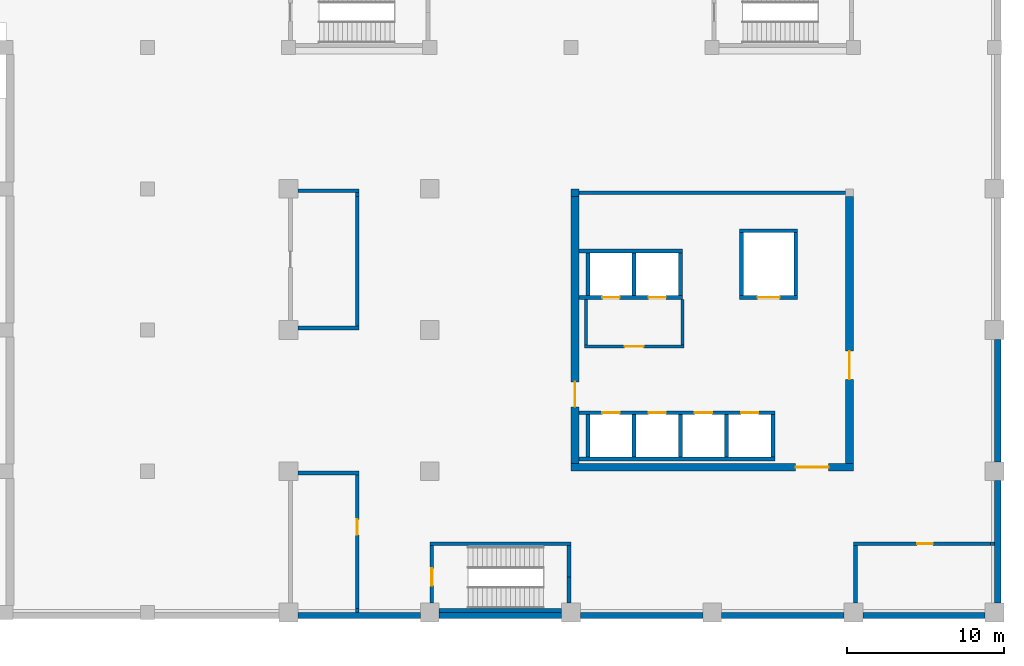
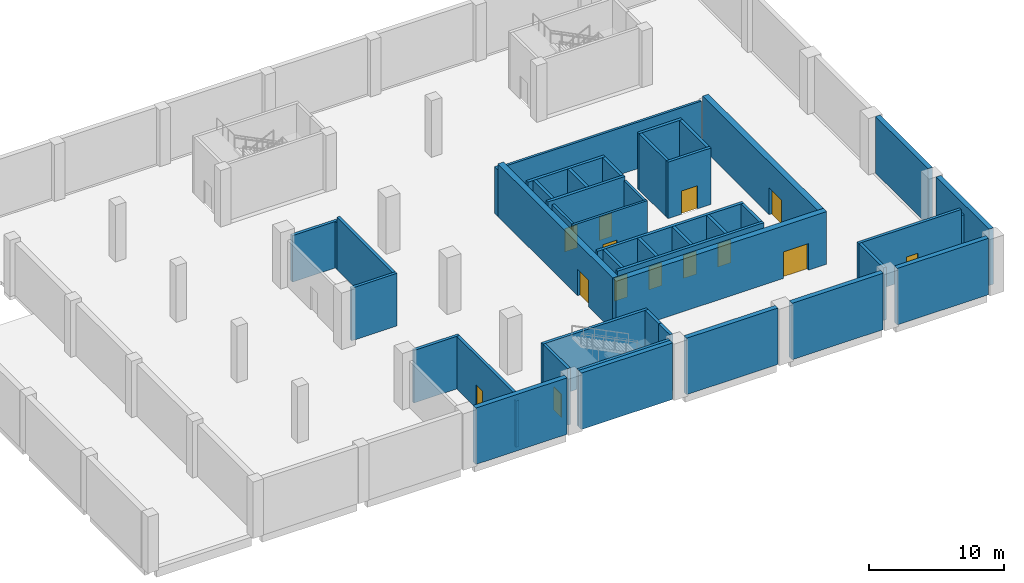
# One storey, part 11 of 16: 46 walls, 14 doors, 14 openings.
"""IFC4 building model written with IfcOpenShell, lengths in metres."""

from ifc_helpers import new_model, si_unit, direction, frame, frame_2d, origin, place, context, subcontext, project, spatial, rectangle, extrude, material, layer, layer_set, type_object, element, fill, save


model = new_model("IFC4")

# Units and contexts
model_context = context("Model", 3, precision=1e-05, world=origin(), true_north=direction((0.0, 1.0)))
body_context = subcontext(model_context, "Body", "Model", "MODEL_VIEW")
ifc_project = project(units=[si_unit("LENGTHUNIT", "METRE"), si_unit("AREAUNIT", "SQUARE_METRE"), si_unit("VOLUMEUNIT", "CUBIC_METRE"), si_unit("PLANEANGLEUNIT", "RADIAN"), si_unit("MASSUNIT", "GRAM", prefix="KILO")], contexts=[model_context])

# Site, building, storey
site_placement = place(None, origin())
site = spatial("IfcSite", under=ifc_project, at=site_placement, CompositionType="ELEMENT")
building_placement = place(site_placement, origin())
building = spatial("IfcBuilding", under=site, at=building_placement, Name="Guidao Yard Department Store", CompositionType="ELEMENT")
storey_placement = place(building_placement, frame((0.0, 0.0, -5.10009765625)))
storey = spatial("IfcBuildingStorey", under=building, at=storey_placement, Name="B1", CompositionType="ELEMENT", Elevation=-5.10009765625)

# Walls
ifc_material_1 = material(Name="Concrete C40", Category="concrete")
ifc_layer_1 = layer(ifc_material_1, 0.39990234375)
ifc_layer_set_1 = layer_set([ifc_layer_1], Name="Retaining wall 400 C40")
wall_type_1 = type_object("IfcWallType", Name="Retaining wall 400 C40", PredefinedType="SOLIDWALL", material=ifc_layer_set_1)
for number, where, z_axis, x_axis, name in (
    (1, (126.60009765625, -0.199951171875, 0.0), (0.0, 0.0, 1.0), (1.0, 0.0, 0.0), "Retaining wall B1-003"),
    (2, (135.60009765625, -0.199951171875, 0.0), (0.0, 0.0, 1.0), (1.0, 0.0, 0.0), "Retaining wall B1-004"),
    (3, (144.60009765625, -0.199951171875, 0.0), (0.0, 0.0, 1.0), (1.0, 0.0, 0.0), "Retaining wall B1-005"),
    (4, (153.60009765625, -0.199951171875, 0.0), (0.0, 0.0, 1.0), (1.0, 0.0, 0.0), "Retaining wall B1-006"),
    (5, (162.60009765625, -0.199951171875, 0.0), (0.0, 0.0, 1.0), (1.0, 0.0, 0.0), "Retaining wall B1-007"),
    (6, (171.199951171875, 0.60009765625, 0.0), (0.0, 0.0, 1.0), (0.0, 1.0, 0.0), "Retaining wall B1-009"),
    (7, (171.199951171875, 9.60009765625, 0.0), (0.0, 0.0, 1.0), (0.0, 1.0, 0.0), "Retaining wall B1-011"),
):
    element("IfcWall", number, at=place(storey_placement, frame(where, z_axis=z_axis, x_axis=x_axis)), inside=storey, type_object=wall_type_1, Name=name, PredefinedType="SOLIDWALL", context=body_context, shape_type="SweptSolid", body=[
        extrude(rectangle(XDim=7.7998046875, YDim=0.39990234375, at=frame_2d((3.89990234375, 0.0))), origin(), (0.0, 0.0, 1.0), 5.10009765625),
    ])

# Wall, opening, door
ifc_material_2 = material(Name="Autoclaved aerated concrete block A3.5 B06", Category="concrete")
ifc_layer_2 = layer(ifc_material_2, 0.199951171875)
ifc_layer_set_2 = layer_set([ifc_layer_2], Name="Shaft Wall 200 Autoclaved Block EI 120")
wall_type_2 = type_object("IfcWallType", Name="Shaft Wall 200 Autoclaved Block EI 120", PredefinedType="PARTITIONING", material=ifc_layer_set_2)
wall_1_placement = place(storey_placement, frame((144.85009765625, 16.949951171875, 0.0), z_axis=(0.0, 0.0, 1.0), x_axis=(1.0, 0.0, 0.0)))
wall_1 = element("IfcWall", 8, at=wall_1_placement, inside=storey, type_object=wall_type_2, Name="pt.wall.B1.0004", PredefinedType="PARTITIONING", context=body_context, shape_type="SweptSolid", body=[
    extrude(rectangle(XDim=6.349853515625, YDim=0.199951171875, at=frame_2d((3.1748046875, 0.0))), origin(), (0.0, 0.0, 1.0), 4.75),
])
opening_1_placement = place(wall_1_placement, frame((3.77490234375, 0.0, 0.0), z_axis=(0.0, 0.0, 1.0), x_axis=(-1.0, 0.0, 0.0)))
opening_1 = element("IfcOpeningElement", 9, at=opening_1_placement, cuts=wall_1, Name="Opening B1-400", PredefinedType="OPENING", context=body_context, shape_type="SweptSolid", body=[
    extrude(rectangle(XDim=1.199951171875, YDim=2.10009765625, at=frame_2d((0.60009765625, 1.050048828125))), frame((0.0, 0.10986328125, 0.0), z_axis=(0.0, -1.0, 0.0), x_axis=(1.0, 0.0, 0.0)), (0.0, 0.0, 1.0), 0.219970703125),
])
ifc_material_3 = material(Name="Timber door leaf with Steel Q235 frame", Category="steel")
door_type_1 = type_object("IfcDoorType", Name="Door 1200 x 2100 FD60 Single Leaf", OperationType="SINGLE_SWING_LEFT", PredefinedType="DOOR", material=ifc_material_3)
door_1_placement = place(opening_1_placement, origin())
door_1 = element("IfcDoor", 10, at=door_1_placement, inside=storey, type_object=door_type_1, Name="Door B1-400", OperationType="SINGLE_SWING_LEFT", OverallHeight=2.10009765625, OverallWidth=1.199951171875, PredefinedType="DOOR", context=body_context, shape_type="SweptSolid", body=[
    extrude(rectangle(XDim=1.199951171875, YDim=2.10009765625, at=frame_2d((0.60009765625, 1.050048828125))), frame((0.0, 0.02490234375, 0.0), z_axis=(0.0, -1.0, 0.0), x_axis=(1.0, 0.0, 0.0)), (0.0, 0.0, 1.0), 0.050048828125),
])
fill(opening_1, door_1)

# Walls
wall_2_placement = place(storey_placement, frame((144.5, 26.75, 0.0), z_axis=(0.0, 0.0, 1.0), x_axis=(1.0, 0.0, 0.0)))
element("IfcWall", 11, at=wall_2_placement, inside=storey, type_object=wall_type_2, Name="pt.wall.B1.0006", PredefinedType="PARTITIONING", context=body_context, shape_type="SweptSolid", body=[
    extrude(rectangle(XDim=17.0, YDim=0.199951171875, at=frame_2d((8.5, 0.0))), origin(), (0.0, 0.0, 1.0), 4.2001953125),
])
for number, where, z_axis, x_axis, name in (
    (12, (144.949951171875, 17.050048828125, 0.0), (0.0, 0.0, 1.0), (0.0, 1.0, 0.0), "pt.wall.B1.0073"),
    (13, (151.10009765625, 17.050048828125, 0.0), (0.0, 0.0, 1.0), (0.0, 1.0, 0.0), "pt.wall.B1.0074"),
):
    element("IfcWall", number, at=place(storey_placement, frame(where, z_axis=z_axis, x_axis=x_axis)), inside=storey, type_object=wall_type_2, Name=name, PredefinedType="PARTITIONING", context=body_context, shape_type="SweptSolid", body=[
        extrude(rectangle(XDim=2.89990234375, YDim=0.199951171875, at=frame_2d((1.449951171875, 0.0))), origin(), (0.0, 0.0, 1.0), 4.75),
    ])

# Wall, opening, door
ifc_material_4 = material(Name="Concrete C60", Category="concrete")
ifc_layer_3 = layer(ifc_material_4, 0.5)
ifc_layer_set_3 = layer_set([ifc_layer_3], Name="Shear Wall 500 Concrete C60")
wall_type_3 = type_object("IfcWallType", Name="Shear Wall 500 Concrete C60", PredefinedType="SHEAR", material=ifc_layer_set_3)
wall_3_placement = place(storey_placement, frame((144.0, 9.25, 0.0), z_axis=(0.0, 0.0, 1.0), x_axis=(1.0, 0.0, 0.0)))
wall_3 = element("IfcWall", 14, at=wall_3_placement, inside=storey, type_object=wall_type_3, Name="pt.wall.B1.0003", PredefinedType="SHEAR", context=body_context, shape_type="SweptSolid", body=[
    extrude(rectangle(XDim=18.0, YDim=0.5, at=frame_2d((9.0, 0.0))), origin(), (0.0, 0.0, 1.0), 4.75),
])
opening_2_placement = place(wall_3_placement, frame((16.425048828125, 0.0, 0.0), z_axis=(0.0, 0.0, 1.0), x_axis=(-1.0, 0.0, 0.0)))
opening_2 = element("IfcOpeningElement", 15, at=opening_2_placement, cuts=wall_3, Name="Opening B1-403", PredefinedType="OPENING", context=body_context, shape_type="SweptSolid", body=[
    extrude(rectangle(XDim=2.10009765625, YDim=2.39990234375, at=frame_2d((1.050048828125, 1.199951171875))), frame((0.0, 0.260009765625, 0.0), z_axis=(0.0, -1.0, 0.0), x_axis=(1.0, 0.0, 0.0)), (0.0, 0.0, 1.0), 0.52001953125),
])
ifc_material_5 = material(Name="Timber door leaf with Steel Q235 frame", Category="steel")
door_type_2 = type_object("IfcDoorType", Name="Door 2100 x 2400 FD60 Double Leaf", OperationType="DOUBLE_DOOR_SINGLE_SWING", PredefinedType="DOOR", material=ifc_material_5)
door_2_placement = place(opening_2_placement, origin())
door_2 = element("IfcDoor", 16, at=door_2_placement, inside=storey, type_object=door_type_2, Name="Door B1-403", OperationType="DOUBLE_DOOR_SINGLE_SWING", OverallHeight=2.39990234375, OverallWidth=2.10009765625, PredefinedType="DOOR", context=body_context, shape_type="SweptSolid", body=[
    extrude(rectangle(XDim=2.10009765625, YDim=2.39990234375, at=frame_2d((1.050048828125, 1.199951171875))), frame((0.0, 0.02490234375, 0.0), z_axis=(0.0, -1.0, 0.0), x_axis=(1.0, 0.0, 0.0)), (0.0, 0.0, 1.0), 0.050048828125),
])
fill(opening_2, door_2)

wall_4_placement = place(storey_placement, frame((144.25, 9.5, 0.0), z_axis=(0.0, 0.0, 1.0), x_axis=(0.0, 1.0, 0.0)))
wall_4 = element("IfcWall", 17, at=wall_4_placement, inside=storey, type_object=wall_type_3, Name="pt.wall.B1.0072", PredefinedType="SHEAR", context=body_context, shape_type="SweptSolid", body=[
    extrude(rectangle(XDim=17.0, YDim=0.5, at=frame_2d((8.5, 0.0))), origin(), (0.0, 0.0, 1.0), 4.75),
])
opening_3_placement = place(wall_4_placement, frame((3.60009765625, 0.0, 0.0)))
opening_3 = element("IfcOpeningElement", 18, at=opening_3_placement, cuts=wall_4, Name="Opening B1-401", PredefinedType="OPENING", context=body_context, shape_type="SweptSolid", body=[
    extrude(rectangle(XDim=1.60009765625, YDim=2.39990234375, at=frame_2d((0.800048828125, 1.199951171875))), frame((0.0, 0.260009765625, 0.0), z_axis=(0.0, -1.0, 0.0), x_axis=(1.0, 0.0, 0.0)), (0.0, 0.0, 1.0), 0.52001953125),
])
ifc_material_6 = material(Name="Timber door leaf with Steel Q235 frame", Category="steel")
door_type_3 = type_object("IfcDoorType", Name="Door 1600 x 2400 FD60 Double Leaf", OperationType="DOUBLE_DOOR_SINGLE_SWING", PredefinedType="DOOR", material=ifc_material_6)
door_3_placement = place(opening_3_placement, origin())
door_3 = element("IfcDoor", 19, at=door_3_placement, inside=storey, type_object=door_type_3, Name="Door B1-401", OperationType="DOUBLE_DOOR_SINGLE_SWING", OverallHeight=2.39990234375, OverallWidth=1.60009765625, PredefinedType="DOOR", context=body_context, shape_type="SweptSolid", body=[
    extrude(rectangle(XDim=1.60009765625, YDim=2.39990234375, at=frame_2d((0.800048828125, 1.199951171875))), frame((0.0, 0.02490234375, 0.0), z_axis=(0.0, -1.0, 0.0), x_axis=(1.0, 0.0, 0.0)), (0.0, 0.0, 1.0), 0.050048828125),
])
fill(opening_3, door_3)

# Wall
wall_5_placement = place(storey_placement, frame((144.25, 26.5, 0.0), z_axis=(0.0, 0.0, 1.0), x_axis=(0.0, 1.0, 0.0)))
element("IfcWall", 20, at=wall_5_placement, inside=storey, type_object=wall_type_3, Name="pt.wall.B1.0072a", PredefinedType="SHEAR", context=body_context, shape_type="SweptSolid", body=[
    extrude(rectangle(XDim=0.5, YDim=0.5, at=frame_2d((0.25, 0.0))), origin(), (0.0, 0.0, 1.0), 4.2001953125),
])

# Wall, opening, door
wall_6_placement = place(storey_placement, frame((161.75, 9.5, 0.0), z_axis=(0.0, 0.0, 1.0), x_axis=(0.0, 1.0, 0.0)))
wall_6 = element("IfcWall", 21, at=wall_6_placement, inside=storey, type_object=wall_type_3, Name="pt.wall.B1.0075", PredefinedType="SHEAR", context=body_context, shape_type="SweptSolid", body=[
    extrude(rectangle(XDim=17.0, YDim=0.5, at=frame_2d((8.5, 0.0))), origin(), (0.0, 0.0, 1.0), 4.75),
])
opening_4_placement = place(wall_6_placement, frame((5.35009765625, 0.0, 0.0)))
opening_4 = element("IfcOpeningElement", 22, at=opening_4_placement, cuts=wall_6, Name="Opening B1-402", PredefinedType="OPENING", context=body_context, shape_type="SweptSolid", body=[
    extrude(rectangle(XDim=1.800048828125, YDim=2.39990234375, at=frame_2d((0.89990234375, 1.199951171875))), frame((0.0, 0.260009765625, 0.0), z_axis=(0.0, -1.0, 0.0), x_axis=(1.0, 0.0, 0.0)), (0.0, 0.0, 1.0), 0.52001953125),
])
ifc_material_7 = material(Name="Timber door leaf with Steel Q235 frame", Category="steel")
door_type_4 = type_object("IfcDoorType", Name="Door 1800 x 2400 FD60 Double Leaf", OperationType="DOUBLE_DOOR_SINGLE_SWING", PredefinedType="DOOR", material=ifc_material_7)
door_4_placement = place(opening_4_placement, origin())
door_4 = element("IfcDoor", 23, at=door_4_placement, inside=storey, type_object=door_type_4, Name="Door B1-402", OperationType="DOUBLE_DOOR_SINGLE_SWING", OverallHeight=2.39990234375, OverallWidth=1.800048828125, PredefinedType="DOOR", context=body_context, shape_type="SweptSolid", body=[
    extrude(rectangle(XDim=1.800048828125, YDim=2.39990234375, at=frame_2d((0.89990234375, 1.199951171875))), frame((0.0, 0.02490234375, 0.0), z_axis=(0.0, -1.0, 0.0), x_axis=(1.0, 0.0, 0.0)), (0.0, 0.0, 1.0), 0.050048828125),
])
fill(opening_4, door_4)

ifc_material_8 = material(Name="Concrete C40", Category="concrete")
ifc_layer_4 = layer(ifc_material_8, 0.25)
ifc_layer_set_4 = layer_set([ifc_layer_4], Name="Support Wall 250 Concrete C40")
wall_type_4 = type_object("IfcWallType", Name="Support Wall 250 Concrete C40", PredefinedType="SOLIDWALL", material=ifc_layer_set_4)
wall_7_placement = place(storey_placement, frame((162.0, 4.375, 0.0), z_axis=(0.0, 0.0, 1.0), x_axis=(1.0, 0.0, 0.0)))
wall_7 = element("IfcWall", 24, at=wall_7_placement, inside=storey, type_object=wall_type_4, Name="pt.wall.B1.0001", PredefinedType="SOLIDWALL", context=body_context, shape_type="SweptSolid", body=[
    extrude(rectangle(XDim=8.75, YDim=0.25, at=frame_2d((4.375, 0.0))), origin(), (0.0, 0.0, 1.0), 4.75),
])
opening_5_placement = place(wall_7_placement, frame((5.0625, 0.0, 0.0), z_axis=(0.0, 0.0, 1.0), x_axis=(-1.0, 0.0, 0.0)))
opening_5 = element("IfcOpeningElement", 25, at=opening_5_placement, cuts=wall_7, Name="Opening B1-417", PredefinedType="OPENING", context=body_context, shape_type="SweptSolid", body=[
    extrude(rectangle(XDim=1.0, YDim=2.10009765625, at=frame_2d((0.5, 1.050048828125))), frame((0.0, 0.135009765625, 0.0), z_axis=(0.0, -1.0, 0.0), x_axis=(1.0, 0.0, 0.0)), (0.0, 0.0, 1.0), 0.27001953125),
])
ifc_material_9 = material(Name="Timber door leaf with Steel Q235 frame", Category="steel")
door_type_5 = type_object("IfcDoorType", Name="Door 1000 x 2100 FD60 Single Leaf", OperationType="SINGLE_SWING_LEFT", PredefinedType="DOOR", material=ifc_material_9)
door_5_placement = place(opening_5_placement, origin())
door_5 = element("IfcDoor", 26, at=door_5_placement, inside=storey, type_object=door_type_5, Name="Door B1-417", OperationType="SINGLE_SWING_LEFT", OverallHeight=2.10009765625, OverallWidth=1.0, PredefinedType="DOOR", context=body_context, shape_type="SweptSolid", body=[
    extrude(rectangle(XDim=1.0, YDim=2.10009765625, at=frame_2d((0.5, 1.050048828125))), frame((0.0, 0.02490234375, 0.0), z_axis=(0.0, -1.0, 0.0), x_axis=(1.0, 0.0, 0.0)), (0.0, 0.0, 1.0), 0.050048828125),
])
fill(opening_5, door_5)

# Walls
wall_8_placement = place(storey_placement, frame((170.75, 4.375, 0.0), z_axis=(0.0, 0.0, 1.0), x_axis=(1.0, 0.0, 0.0)))
element("IfcWall", 27, at=wall_8_placement, inside=storey, type_object=wall_type_4, Name="pt.wall.B1.0001a", PredefinedType="SOLIDWALL", context=body_context, shape_type="SweptSolid", body=[
    extrude(rectangle(XDim=0.25, YDim=0.25, at=frame_2d((0.125, 0.0))), origin(), (0.0, 0.0, 1.0), 4.2001953125),
])
for number, where, z_axis, x_axis, name in (
    (28, (126.60009765625, 8.875, 0.0), (0.0, 0.0, 1.0), (1.0, 0.0, 0.0), "pt.wall.B1.0002"),
    (29, (126.60009765625, 18.125, 0.0), (0.0, 0.0, 1.0), (1.0, 0.0, 0.0), "pt.wall.B1.0005"),
):
    element("IfcWall", number, at=place(storey_placement, frame(where, z_axis=z_axis, x_axis=x_axis)), inside=storey, type_object=wall_type_4, Name=name, PredefinedType="SOLIDWALL", context=body_context, shape_type="SweptSolid", body=[
        extrude(rectangle(XDim=3.89990234375, YDim=0.25, at=frame_2d((1.949951171875, 0.0))), origin(), (0.0, 0.0, 1.0), 4.75),
    ])
wall_9_placement = place(storey_placement, frame((126.60009765625, 26.875, 0.0), z_axis=(0.0, 0.0, 1.0), x_axis=(1.0, 0.0, 0.0)))
element("IfcWall", 30, at=wall_9_placement, inside=storey, type_object=wall_type_4, Name="pt.wall.B1.0007", PredefinedType="SOLIDWALL", context=body_context, shape_type="SweptSolid", body=[
    extrude(rectangle(XDim=3.89990234375, YDim=0.25, at=frame_2d((1.949951171875, 0.0))), origin(), (0.0, 0.0, 1.0), 4.2001953125),
])
wall_10_placement = place(storey_placement, frame((130.375, 0.0, 0.0), z_axis=(0.0, 0.0, 1.0), x_axis=(0.0, 1.0, 0.0)))
element("IfcWall", 31, at=wall_10_placement, inside=storey, type_object=wall_type_4, Name="pt.wall.B1.0070", PredefinedType="SOLIDWALL", context=body_context, shape_type="SweptSolid", body=[
    extrude(rectangle(XDim=0.25, YDim=0.25, at=frame_2d((0.125, 0.0))), origin(), (0.0, 0.0, 1.0), 4.2001953125),
])

# Wall, opening, door
wall_11_placement = place(storey_placement, frame((130.375, 0.25, 0.0), z_axis=(0.0, 0.0, 1.0), x_axis=(0.0, 1.0, 0.0)))
wall_11 = element("IfcWall", 32, at=wall_11_placement, inside=storey, type_object=wall_type_4, Name="pt.wall.B1.0070a", PredefinedType="SOLIDWALL", context=body_context, shape_type="SweptSolid", body=[
    extrude(rectangle(XDim=8.5, YDim=0.25, at=frame_2d((4.25, 0.0))), origin(), (0.0, 0.0, 1.0), 4.75),
])
opening_6_placement = place(wall_11_placement, frame((4.6875, 0.0, 0.0)))
opening_6 = element("IfcOpeningElement", 33, at=opening_6_placement, cuts=wall_11, Name="Opening B1-416", PredefinedType="OPENING", context=body_context, shape_type="SweptSolid", body=[
    extrude(rectangle(XDim=1.0, YDim=2.10009765625, at=frame_2d((0.5, 1.050048828125))), frame((0.0, 0.135009765625, 0.0), z_axis=(0.0, -1.0, 0.0), x_axis=(1.0, 0.0, 0.0)), (0.0, 0.0, 1.0), 0.27001953125),
])
door_6_placement = place(opening_6_placement, origin())
door_6 = element("IfcDoor", 34, at=door_6_placement, inside=storey, type_object=door_type_5, Name="Door B1-416", OperationType="SINGLE_SWING_RIGHT", OverallHeight=2.10009765625, OverallWidth=1.0, PredefinedType="DOOR", context=body_context, shape_type="SweptSolid", body=[
    extrude(rectangle(XDim=1.0, YDim=2.10009765625, at=frame_2d((0.5, 1.050048828125))), frame((0.0, 0.02490234375, 0.0), z_axis=(0.0, -1.0, 0.0), x_axis=(1.0, 0.0, 0.0)), (0.0, 0.0, 1.0), 0.050048828125),
])
fill(opening_6, door_6)

# Walls
wall_12_placement = place(storey_placement, frame((130.375, 18.25, 0.0), z_axis=(0.0, 0.0, 1.0), x_axis=(0.0, 1.0, 0.0)))
element("IfcWall", 35, at=wall_12_placement, inside=storey, type_object=wall_type_4, Name="pt.wall.B1.0071", PredefinedType="SOLIDWALL", context=body_context, shape_type="SweptSolid", body=[
    extrude(rectangle(XDim=8.25, YDim=0.25, at=frame_2d((4.125, 0.0))), origin(), (0.0, 0.0, 1.0), 4.75),
])
wall_13_placement = place(storey_placement, frame((130.375, 26.5, 0.0), z_axis=(0.0, 0.0, 1.0), x_axis=(0.0, 1.0, 0.0)))
element("IfcWall", 36, at=wall_13_placement, inside=storey, type_object=wall_type_4, Name="pt.wall.B1.0071a", PredefinedType="SOLIDWALL", context=body_context, shape_type="SweptSolid", body=[
    extrude(rectangle(XDim=0.25, YDim=0.25, at=frame_2d((0.125, 0.0))), origin(), (0.0, 0.0, 1.0), 4.2001953125),
])
wall_14_placement = place(storey_placement, frame((162.125, 0.60009765625, 0.0), z_axis=(0.0, 0.0, 1.0), x_axis=(0.0, 1.0, 0.0)))
element("IfcWall", 37, at=wall_14_placement, inside=storey, type_object=wall_type_4, Name="pt.wall.B1.0076", PredefinedType="SOLIDWALL", context=body_context, shape_type="SweptSolid", body=[
    extrude(rectangle(XDim=3.64990234375, YDim=0.25, at=frame_2d((1.824951171875, 0.0))), origin(), (0.0, 0.0, 1.0), 4.75),
])
ifc_material_10 = material(Name="Concrete C40", Category="concrete")
ifc_layer_5 = layer(ifc_material_10, 0.25)
ifc_layer_set_5 = layer_set([ifc_layer_5], Name="Wall RC 250 C40 stair and shaft")
wall_type_5 = type_object("IfcWallType", Name="Wall RC 250 C40 stair and shaft", PredefinedType="SHEAR", material=ifc_layer_set_5)
wall_15_placement = place(storey_placement, frame((135.60009765625, 0.125, 0.0), z_axis=(0.0, 0.0, 1.0), x_axis=(1.0, 0.0, 0.0)))
element("IfcWall", 38, at=wall_15_placement, inside=storey, type_object=wall_type_5, Name="Stair wall BSO1", PredefinedType="SHEAR", context=body_context, shape_type="SweptSolid", body=[
    extrude(rectangle(XDim=7.7998046875, YDim=0.25, at=frame_2d((3.89990234375, 0.0))), origin(), (0.0, 0.0, 1.0), 5.10009765625),
])
wall_16_placement = place(storey_placement, frame((135.0, 4.375, 0.0), z_axis=(0.0, 0.0, 1.0), x_axis=(1.0, 0.0, 0.0)))
element("IfcWall", 39, at=wall_16_placement, inside=storey, type_object=wall_type_5, Name="Stair wall BSO1", PredefinedType="SHEAR", context=body_context, shape_type="SweptSolid", body=[
    extrude(rectangle(XDim=9.0, YDim=0.25, at=frame_2d((4.5, 0.0))), origin(), (0.0, 0.0, 1.0), 5.10009765625),
])

# Wall, opening, door
wall_17_placement = place(storey_placement, frame((135.125, 0.60009765625, 0.0), z_axis=(0.0, 0.0, 1.0), x_axis=(0.0, 1.0, 0.0)))
wall_17 = element("IfcWall", 40, at=wall_17_placement, inside=storey, type_object=wall_type_5, Name="Stair wall BSO1", PredefinedType="SHEAR", context=body_context, shape_type="SweptSolid", body=[
    extrude(rectangle(XDim=3.64990234375, YDim=0.25, at=frame_2d((1.824951171875, 0.0))), origin(), (0.0, 0.0, 1.0), 5.10009765625),
])
opening_7_placement = place(wall_17_placement, frame((2.2001953125, 0.0, 0.0), z_axis=(0.0, 0.0, 1.0), x_axis=(-1.0, 0.0, 0.0)))
opening_7 = element("IfcOpeningElement", 41, at=opening_7_placement, cuts=wall_17, Name="Opening B1-805", PredefinedType="OPENING", context=body_context, shape_type="SweptSolid", body=[
    extrude(rectangle(XDim=1.10009765625, YDim=2.10009765625, at=frame_2d((0.550048828125, 1.050048828125))), frame((0.0, 0.135009765625, 0.0), z_axis=(0.0, -1.0, 0.0), x_axis=(1.0, 0.0, 0.0)), (0.0, 0.0, 1.0), 0.27001953125),
])
ifc_material_11 = material(Name="Steel Q235", Category="steel")
door_type_6 = type_object("IfcDoorType", Name="Door fire-resisting 1100 x 2100 FD60", OperationType="SINGLE_SWING_LEFT", PredefinedType="DOOR", material=ifc_material_11)
door_7_placement = place(opening_7_placement, origin())
door_7 = element("IfcDoor", 42, at=door_7_placement, inside=storey, type_object=door_type_6, Name="Basement stair O1 door B1", OperationType="SINGLE_SWING_RIGHT", OverallHeight=2.10009765625, OverallWidth=1.10009765625, PredefinedType="DOOR", context=body_context, shape_type="SweptSolid", body=[
    extrude(rectangle(XDim=1.10009765625, YDim=2.10009765625, at=frame_2d((0.550048828125, 1.050048828125))), frame((0.0, 0.02490234375, 0.0), z_axis=(0.0, -1.0, 0.0), x_axis=(1.0, 0.0, 0.0)), (0.0, 0.0, 1.0), 0.050048828125),
])
fill(opening_7, door_7)

# Walls
wall_18_placement = place(storey_placement, frame((143.875, 0.60009765625, 0.0), z_axis=(0.0, 0.0, 1.0), x_axis=(0.0, 1.0, 0.0)))
element("IfcWall", 43, at=wall_18_placement, inside=storey, type_object=wall_type_5, Name="Stair wall BSO1", PredefinedType="SHEAR", context=body_context, shape_type="SweptSolid", body=[
    extrude(rectangle(XDim=1.64990234375, YDim=0.25, at=frame_2d((0.824951171875, 0.0))), origin(), (0.0, 0.0, 1.0), 5.10009765625),
])
wall_19_placement = place(storey_placement, frame((143.875, 2.25, 0.0), z_axis=(0.0, 0.0, 1.0), x_axis=(0.0, 1.0, 0.0)))
element("IfcWall", 44, at=wall_19_placement, inside=storey, type_object=wall_type_5, Name="Stair wall BSO1", PredefinedType="SHEAR", context=body_context, shape_type="SweptSolid", body=[
    extrude(rectangle(XDim=2.0, YDim=0.25, at=frame_2d((1.0, 0.0))), origin(), (0.0, 0.0, 1.0), 5.10009765625),
])

# Wall, openings, doors
wall_20_placement = place(storey_placement, frame((144.5, 12.72509765625, 0.0), z_axis=(0.0, 0.0, 1.0), x_axis=(1.0, 0.0, 0.0)))
wall_20 = element("IfcWall", 45, at=wall_20_placement, inside=storey, type_object=wall_type_5, Name="Lift shaft wall OL1 to OL4", PredefinedType="SHEAR", context=body_context, shape_type="SweptSolid", body=[
    extrude(rectangle(XDim=12.5, YDim=0.25, at=frame_2d((6.25, 0.0))), origin(), (0.0, 0.0, 1.0), 5.10009765625),
])
opening_8_placement = place(wall_20_placement, frame((1.5, 0.0, 0.0)))
opening_8 = element("IfcOpeningElement", 46, at=opening_8_placement, cuts=wall_20, Name="Opening LD-OL1-B1", PredefinedType="OPENING", context=body_context, shape_type="SweptSolid", body=[
    extrude(rectangle(XDim=1.10009765625, YDim=2.10009765625, at=frame_2d((0.550048828125, 1.050048828125))), frame((0.0, 0.135009765625, 0.0), z_axis=(0.0, -1.0, 0.0), x_axis=(1.0, 0.0, 0.0)), (0.0, 0.0, 1.0), 0.27001953125),
])
opening_9_placement = place(wall_20_placement, frame((4.449951171875, 0.0, 0.0)))
opening_9 = element("IfcOpeningElement", 47, at=opening_9_placement, cuts=wall_20, Name="Opening LD-OL2-B1", PredefinedType="OPENING", context=body_context, shape_type="SweptSolid", body=[
    extrude(rectangle(XDim=1.10009765625, YDim=2.10009765625, at=frame_2d((0.550048828125, 1.050048828125))), frame((0.0, 0.135009765625, 0.0), z_axis=(0.0, -1.0, 0.0), x_axis=(1.0, 0.0, 0.0)), (0.0, 0.0, 1.0), 0.27001953125),
])
opening_10_placement = place(wall_20_placement, frame((7.39990234375, 0.0, 0.0)))
opening_10 = element("IfcOpeningElement", 48, at=opening_10_placement, cuts=wall_20, Name="Opening LD-OL3-B1", PredefinedType="OPENING", context=body_context, shape_type="SweptSolid", body=[
    extrude(rectangle(XDim=1.10009765625, YDim=2.10009765625, at=frame_2d((0.550048828125, 1.050048828125))), frame((0.0, 0.135009765625, 0.0), z_axis=(0.0, -1.0, 0.0), x_axis=(1.0, 0.0, 0.0)), (0.0, 0.0, 1.0), 0.27001953125),
])
opening_11_placement = place(wall_20_placement, frame((10.35009765625, 0.0, 0.0)))
opening_11 = element("IfcOpeningElement", 49, at=opening_11_placement, cuts=wall_20, Name="Opening LD-OL4-B1", PredefinedType="OPENING", context=body_context, shape_type="SweptSolid", body=[
    extrude(rectangle(XDim=1.10009765625, YDim=2.10009765625, at=frame_2d((0.550048828125, 1.050048828125))), frame((0.0, 0.135009765625, 0.0), z_axis=(0.0, -1.0, 0.0), x_axis=(1.0, 0.0, 0.0)), (0.0, 0.0, 1.0), 0.27001953125),
])
ifc_material_12 = material(Name="Stainless steel 06Cr19Ni10", Category="steel")
door_type_7 = type_object("IfcDoorType", Name="Lift landing door fire-resisting sliding 1100 x 2100", OperationType="DOUBLE_DOOR_SLIDING", PredefinedType="DOOR", material=ifc_material_12)
door_8_placement = place(opening_8_placement, origin())
door_8 = element("IfcDoor", 50, at=door_8_placement, inside=storey, type_object=door_type_7, Name="Lift landing door OL1 B1", OperationType="DOUBLE_DOOR_SLIDING", OverallHeight=2.10009765625, OverallWidth=1.10009765625, PredefinedType="DOOR", context=body_context, shape_type="SweptSolid", body=[
    extrude(rectangle(XDim=1.10009765625, YDim=2.10009765625, at=frame_2d((0.550048828125, 1.050048828125))), frame((0.0, 0.02490234375, 0.0), z_axis=(0.0, -1.0, 0.0), x_axis=(1.0, 0.0, 0.0)), (0.0, 0.0, 1.0), 0.050048828125),
])
fill(opening_8, door_8)
door_9_placement = place(opening_9_placement, origin())
door_9 = element("IfcDoor", 51, at=door_9_placement, inside=storey, type_object=door_type_7, Name="Lift landing door OL2 B1", OperationType="DOUBLE_DOOR_SLIDING", OverallHeight=2.10009765625, OverallWidth=1.10009765625, PredefinedType="DOOR", context=body_context, shape_type="SweptSolid", body=[
    extrude(rectangle(XDim=1.10009765625, YDim=2.10009765625, at=frame_2d((0.550048828125, 1.050048828125))), frame((0.0, 0.02490234375, 0.0), z_axis=(0.0, -1.0, 0.0), x_axis=(1.0, 0.0, 0.0)), (0.0, 0.0, 1.0), 0.050048828125),
])
fill(opening_9, door_9)
door_10_placement = place(opening_10_placement, origin())
door_10 = element("IfcDoor", 52, at=door_10_placement, inside=storey, type_object=door_type_7, Name="Lift landing door OL3 B1", OperationType="DOUBLE_DOOR_SLIDING", OverallHeight=2.10009765625, OverallWidth=1.10009765625, PredefinedType="DOOR", context=body_context, shape_type="SweptSolid", body=[
    extrude(rectangle(XDim=1.10009765625, YDim=2.10009765625, at=frame_2d((0.550048828125, 1.050048828125))), frame((0.0, 0.02490234375, 0.0), z_axis=(0.0, -1.0, 0.0), x_axis=(1.0, 0.0, 0.0)), (0.0, 0.0, 1.0), 0.050048828125),
])
fill(opening_10, door_10)
door_11_placement = place(opening_11_placement, origin())
door_11 = element("IfcDoor", 53, at=door_11_placement, inside=storey, type_object=door_type_7, Name="Lift landing door OL4 B1", OperationType="DOUBLE_DOOR_SLIDING", OverallHeight=2.10009765625, OverallWidth=1.10009765625, PredefinedType="DOOR", context=body_context, shape_type="SweptSolid", body=[
    extrude(rectangle(XDim=1.10009765625, YDim=2.10009765625, at=frame_2d((0.550048828125, 1.050048828125))), frame((0.0, 0.02490234375, 0.0), z_axis=(0.0, -1.0, 0.0), x_axis=(1.0, 0.0, 0.0)), (0.0, 0.0, 1.0), 0.050048828125),
])
fill(opening_11, door_11)

# Walls
wall_21_placement = place(storey_placement, frame((144.5, 9.77490234375, 0.0), z_axis=(0.0, 0.0, 1.0), x_axis=(1.0, 0.0, 0.0)))
element("IfcWall", 54, at=wall_21_placement, inside=storey, type_object=wall_type_5, Name="Lift shaft wall OL1 to OL4", PredefinedType="SHEAR", context=body_context, shape_type="SweptSolid", body=[
    extrude(rectangle(XDim=12.5, YDim=0.25, at=frame_2d((6.25, 0.0))), origin(), (0.0, 0.0, 1.0), 5.10009765625),
])
for number, where, z_axis, x_axis, name in (
    (55, (145.074951171875, 9.89990234375, 0.0), (0.0, 0.0, 1.0), (0.0, 1.0, 0.0), "Lift shaft wall OL1 to OL4"),
    (56, (148.02490234375, 9.89990234375, 0.0), (0.0, 0.0, 1.0), (0.0, 1.0, 0.0), "Lift shaft wall OL1 to OL4"),
    (57, (150.97509765625, 9.89990234375, 0.0), (0.0, 0.0, 1.0), (0.0, 1.0, 0.0), "Lift shaft wall OL1 to OL4"),
    (58, (153.925048828125, 9.89990234375, 0.0), (0.0, 0.0, 1.0), (0.0, 1.0, 0.0), "Lift shaft wall OL1 to OL4"),
    (59, (156.875, 9.89990234375, 0.0), (0.0, 0.0, 1.0), (0.0, 1.0, 0.0), "Lift shaft wall OL1 to OL4"),
):
    element("IfcWall", number, at=place(storey_placement, frame(where, z_axis=z_axis, x_axis=x_axis)), inside=storey, type_object=wall_type_5, Name=name, PredefinedType="SHEAR", context=body_context, shape_type="SweptSolid", body=[
        extrude(rectangle(XDim=2.7001953125, YDim=0.25, at=frame_2d((1.35009765625, 0.0))), origin(), (0.0, 0.0, 1.0), 5.10009765625),
    ])

# Wall, openings, doors
wall_22_placement = place(storey_placement, frame((144.5, 20.074951171875, 0.0), z_axis=(0.0, 0.0, 1.0), x_axis=(1.0, 0.0, 0.0)))
wall_22 = element("IfcWall", 60, at=wall_22_placement, inside=storey, type_object=wall_type_5, Name="Lift shaft wall OF1 to OF2", PredefinedType="SHEAR", context=body_context, shape_type="SweptSolid", body=[
    extrude(rectangle(XDim=6.60009765625, YDim=0.25, at=frame_2d((3.300048828125, 0.0))), origin(), (0.0, 0.0, 1.0), 5.10009765625),
])
opening_12_placement = place(wall_22_placement, frame((1.5, 0.0, 0.0)))
opening_12 = element("IfcOpeningElement", 61, at=opening_12_placement, cuts=wall_22, Name="Opening LD-OF1-B1", PredefinedType="OPENING", context=body_context, shape_type="SweptSolid", body=[
    extrude(rectangle(XDim=1.10009765625, YDim=2.10009765625, at=frame_2d((0.550048828125, 1.050048828125))), frame((0.0, 0.135009765625, 0.0), z_axis=(0.0, -1.0, 0.0), x_axis=(1.0, 0.0, 0.0)), (0.0, 0.0, 1.0), 0.27001953125),
])
opening_13_placement = place(wall_22_placement, frame((4.449951171875, 0.0, 0.0)))
opening_13 = element("IfcOpeningElement", 62, at=opening_13_placement, cuts=wall_22, Name="Opening LD-OF2-B1", PredefinedType="OPENING", context=body_context, shape_type="SweptSolid", body=[
    extrude(rectangle(XDim=1.10009765625, YDim=2.10009765625, at=frame_2d((0.550048828125, 1.050048828125))), frame((0.0, 0.135009765625, 0.0), z_axis=(0.0, -1.0, 0.0), x_axis=(1.0, 0.0, 0.0)), (0.0, 0.0, 1.0), 0.27001953125),
])
door_12_placement = place(opening_12_placement, origin())
door_12 = element("IfcDoor", 63, at=door_12_placement, inside=storey, type_object=door_type_7, Name="Lift landing door OF1 B1", OperationType="DOUBLE_DOOR_SLIDING", OverallHeight=2.10009765625, OverallWidth=1.10009765625, PredefinedType="DOOR", context=body_context, shape_type="SweptSolid", body=[
    extrude(rectangle(XDim=1.10009765625, YDim=2.10009765625, at=frame_2d((0.550048828125, 1.050048828125))), frame((0.0, 0.02490234375, 0.0), z_axis=(0.0, -1.0, 0.0), x_axis=(1.0, 0.0, 0.0)), (0.0, 0.0, 1.0), 0.050048828125),
])
fill(opening_12, door_12)
door_13_placement = place(opening_13_placement, origin())
door_13 = element("IfcDoor", 64, at=door_13_placement, inside=storey, type_object=door_type_7, Name="Lift landing door OF2 B1", OperationType="DOUBLE_DOOR_SLIDING", OverallHeight=2.10009765625, OverallWidth=1.10009765625, PredefinedType="DOOR", context=body_context, shape_type="SweptSolid", body=[
    extrude(rectangle(XDim=1.10009765625, YDim=2.10009765625, at=frame_2d((0.550048828125, 1.050048828125))), frame((0.0, 0.02490234375, 0.0), z_axis=(0.0, -1.0, 0.0), x_axis=(1.0, 0.0, 0.0)), (0.0, 0.0, 1.0), 0.050048828125),
])
fill(opening_13, door_13)

# Walls
wall_23_placement = place(storey_placement, frame((144.5, 23.02490234375, 0.0), z_axis=(0.0, 0.0, 1.0), x_axis=(1.0, 0.0, 0.0)))
element("IfcWall", 65, at=wall_23_placement, inside=storey, type_object=wall_type_5, Name="Lift shaft wall OF1 to OF2", PredefinedType="SHEAR", context=body_context, shape_type="SweptSolid", body=[
    extrude(rectangle(XDim=6.60009765625, YDim=0.25, at=frame_2d((3.300048828125, 0.0))), origin(), (0.0, 0.0, 1.0), 5.10009765625),
])
for number, where, z_axis, x_axis, name in (
    (66, (145.074951171875, 20.199951171875, 0.0), (0.0, 0.0, 1.0), (0.0, 1.0, 0.0), "Lift shaft wall OF1 to OF2"),
    (67, (148.02490234375, 20.199951171875, 0.0), (0.0, 0.0, 1.0), (0.0, 1.0, 0.0), "Lift shaft wall OF1 to OF2"),
    (68, (150.97509765625, 20.199951171875, 0.0), (0.0, 0.0, 1.0), (0.0, 1.0, 0.0), "Lift shaft wall OF1 to OF2"),
):
    element("IfcWall", number, at=place(storey_placement, frame(where, z_axis=z_axis, x_axis=x_axis)), inside=storey, type_object=wall_type_5, Name=name, PredefinedType="SHEAR", context=body_context, shape_type="SweptSolid", body=[
        extrude(rectangle(XDim=2.699951171875, YDim=0.25, at=frame_2d((1.35009765625, 0.0))), origin(), (0.0, 0.0, 1.0), 5.10009765625),
    ])

# Wall, opening, door
wall_24_placement = place(storey_placement, frame((154.75, 20.074951171875, 0.0), z_axis=(0.0, 0.0, 1.0), x_axis=(1.0, 0.0, 0.0)))
wall_24 = element("IfcWall", 69, at=wall_24_placement, inside=storey, type_object=wall_type_5, Name="Lift shaft wall OS1", PredefinedType="SHEAR", context=body_context, shape_type="SweptSolid", body=[
    extrude(rectangle(XDim=3.699951171875, YDim=0.25, at=frame_2d((1.85009765625, 0.0))), origin(), (0.0, 0.0, 1.0), 5.10009765625),
])
opening_14_placement = place(wall_24_placement, frame((1.14990234375, 0.0, 0.0)))
opening_14 = element("IfcOpeningElement", 70, at=opening_14_placement, cuts=wall_24, Name="Opening LD-OS1-B1", PredefinedType="OPENING", context=body_context, shape_type="SweptSolid", body=[
    extrude(rectangle(XDim=1.39990234375, YDim=2.10009765625, at=frame_2d((0.699951171875, 1.050048828125))), frame((0.0, 0.135009765625, 0.0), z_axis=(0.0, -1.0, 0.0), x_axis=(1.0, 0.0, 0.0)), (0.0, 0.0, 1.0), 0.27001953125),
])
ifc_material_13 = material(Name="Stainless steel 06Cr19Ni10", Category="steel")
door_type_8 = type_object("IfcDoorType", Name="Lift landing door fire-resisting sliding 1400 x 2100", OperationType="DOUBLE_DOOR_SLIDING", PredefinedType="DOOR", material=ifc_material_13)
door_14_placement = place(opening_14_placement, origin())
door_14 = element("IfcDoor", 71, at=door_14_placement, inside=storey, type_object=door_type_8, Name="Lift landing door OS1 B1", OperationType="DOUBLE_DOOR_SLIDING", OverallHeight=2.10009765625, OverallWidth=1.39990234375, PredefinedType="DOOR", context=body_context, shape_type="SweptSolid", body=[
    extrude(rectangle(XDim=1.39990234375, YDim=2.10009765625, at=frame_2d((0.699951171875, 1.050048828125))), frame((0.0, 0.02490234375, 0.0), z_axis=(0.0, -1.0, 0.0), x_axis=(1.0, 0.0, 0.0)), (0.0, 0.0, 1.0), 0.050048828125),
])
fill(opening_14, door_14)

# Walls
wall_25_placement = place(storey_placement, frame((154.75, 24.324951171875, 0.0), z_axis=(0.0, 0.0, 1.0), x_axis=(1.0, 0.0, 0.0)))
element("IfcWall", 72, at=wall_25_placement, inside=storey, type_object=wall_type_5, Name="Lift shaft wall OS1", PredefinedType="SHEAR", context=body_context, shape_type="SweptSolid", body=[
    extrude(rectangle(XDim=3.699951171875, YDim=0.25, at=frame_2d((1.85009765625, 0.0))), origin(), (0.0, 0.0, 1.0), 5.10009765625),
])
for number, where, z_axis, x_axis, name in (
    (73, (154.875, 20.199951171875, 0.0), (0.0, 0.0, 1.0), (0.0, 1.0, 0.0), "Lift shaft wall OS1"),
    (74, (158.324951171875, 20.199951171875, 0.0), (0.0, 0.0, 1.0), (0.0, 1.0, 0.0), "Lift shaft wall OS1"),
):
    element("IfcWall", number, at=place(storey_placement, frame(where, z_axis=z_axis, x_axis=x_axis)), inside=storey, type_object=wall_type_5, Name=name, PredefinedType="SHEAR", context=body_context, shape_type="SweptSolid", body=[
        extrude(rectangle(XDim=4.0, YDim=0.25, at=frame_2d((2.0, 0.0))), origin(), (0.0, 0.0, 1.0), 5.10009765625),
    ])

save(model, "model.ifc")
